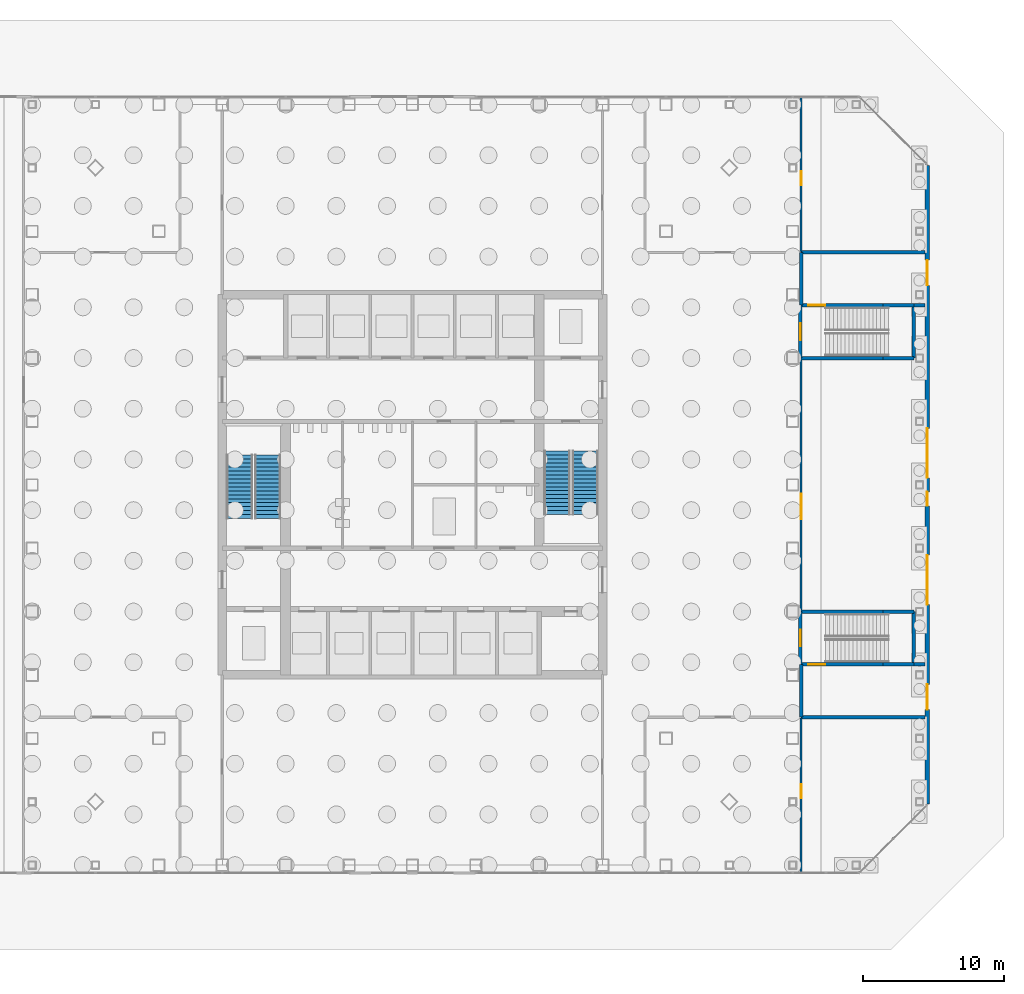
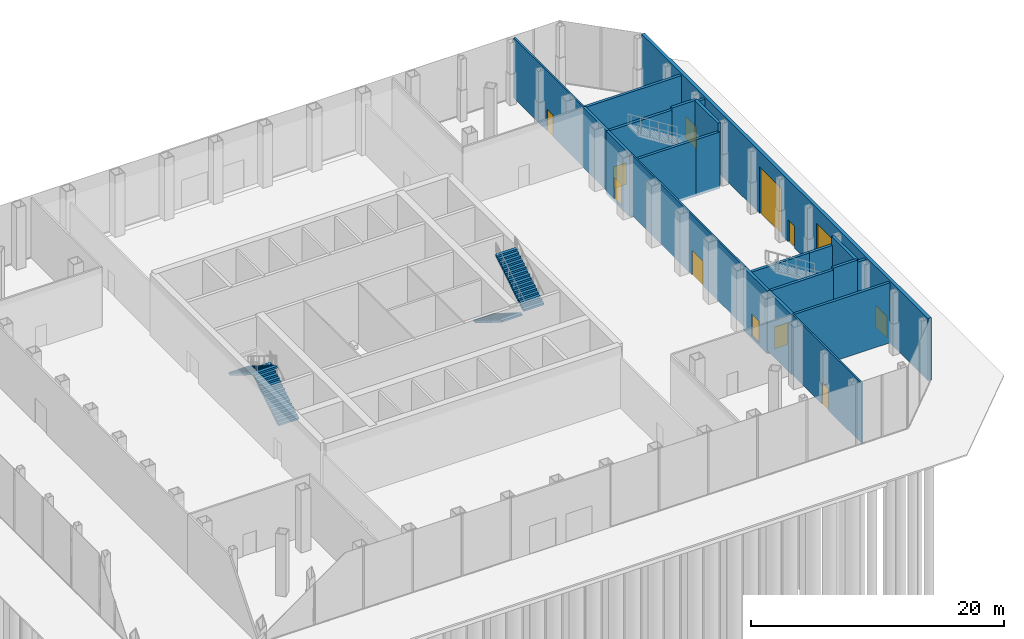
# One storey, part 19 of 24: 22 walls, 12 doors, 4 stair flights, 12 openings, 2 elements without a shape of their own.
"""IFC4 building model written with IfcOpenShell, lengths in metres."""

from ifc_helpers import new_model, si_unit, direction, frame, frame_2d, origin, place, context, subcontext, project, spatial, polyline, rectangle, outline, extrude, material, layer, layer_set, type_object, element, fill, aggregate, save


model = new_model("IFC4")

# Units and contexts
model_context = context("Model", 3, precision=1e-05, world=origin(), true_north=direction((0.0, 1.0)))
body_context = subcontext(model_context, "Body", "Model", "MODEL_VIEW")
ifc_project = project(units=[si_unit("LENGTHUNIT", "METRE"), si_unit("AREAUNIT", "SQUARE_METRE"), si_unit("VOLUMEUNIT", "CUBIC_METRE"), si_unit("PLANEANGLEUNIT", "RADIAN"), si_unit("MASSUNIT", "GRAM", prefix="KILO")], contexts=[model_context])

# Site, building, storey
site_placement = place(None, origin())
site = spatial("IfcSite", under=ifc_project, at=site_placement, CompositionType="ELEMENT")
building_placement = place(site_placement, origin())
building = spatial("IfcBuilding", under=site, at=building_placement, Name="Corais Broadcast Tower", CompositionType="ELEMENT")
storey_placement = place(building_placement, origin())
storey = spatial("IfcBuildingStorey", under=building, at=storey_placement, Name="L00", CompositionType="ELEMENT", Elevation=0.0)

# Wall, opening, door
ifc_material_1 = material(Name="Gypsum board on steel studs", Category="steel")
ifc_layer_1 = layer(ifc_material_1, 0.14990234375)
ifc_layer_set_1 = layer_set([ifc_layer_1], Name="Gypsum board on steel studs")
wall_type_1 = type_object("IfcWallType", Name="Partition 150", PredefinedType="PARTITIONING", material=ifc_layer_set_1)
wall_1_placement = place(storey_placement, frame((54.60009765625, 10.449951171875, 0.0), z_axis=(0.0, 0.0, 1.0), x_axis=(0.0, -1.0, 0.0)))
wall_1 = element("IfcWall", 1, at=wall_1_placement, inside=storey, type_object=wall_type_1, Name="IW3 partition L00", PredefinedType="PARTITIONING", context=body_context, shape_type="SweptSolid", body=[
    extrude(rectangle(XDim=10.969970703125, YDim=0.14990234375, at=frame_2d((5.48486328125, 0.0))), origin(), (0.0, 0.0, 1.0), 5.800048828125),
])
opening_1_placement = place(wall_1_placement, frame((4.719970703125, 0.0, 0.0)))
opening_1 = element("IfcOpeningElement", 2, at=opening_1_placement, cuts=wall_1, Name="Opening D1", PredefinedType="OPENING", context=body_context, shape_type="SweptSolid", body=[
    extrude(rectangle(XDim=1.0, YDim=2.10009765625, at=frame_2d((0.5, 1.050048828125))), frame((0.0, 0.0849609375, 0.0), z_axis=(0.0, -1.0, 0.0), x_axis=(1.0, 0.0, 0.0)), (0.0, 0.0, 1.0), 0.169921875),
])
ifc_material_2 = material(Name="Timber door", Category="wood")
door_type_1 = type_object("IfcDoorType", Name="Single door 1000x2100", OperationType="SINGLE_SWING_LEFT", PredefinedType="DOOR", material=ifc_material_2)
door_1_placement = place(opening_1_placement, origin())
door_1 = element("IfcDoor", 3, at=door_1_placement, inside=storey, type_object=door_type_1, Name="D1 Scenery store door", OperationType="SINGLE_SWING_LEFT", OverallHeight=2.10009765625, OverallWidth=1.0, PredefinedType="DOOR", context=body_context, shape_type="SweptSolid", body=[
    extrude(rectangle(XDim=1.0, YDim=2.10009765625, at=frame_2d((0.5, 1.050048828125))), frame((0.0, 0.02490234375, 0.0), z_axis=(0.0, -1.0, 0.0), x_axis=(1.0, 0.0, 0.0)), (0.0, 0.0, 1.0), 0.050048828125),
])
fill(opening_1, door_1)

wall_2_placement = place(storey_placement, frame((54.60009765625, 35.949951171875, 0.0), z_axis=(0.0, 0.0, 1.0), x_axis=(0.0, -1.0, 0.0)))
wall_2 = element("IfcWall", 4, at=wall_2_placement, inside=storey, type_object=wall_type_1, Name="IW3 partition L00", PredefinedType="PARTITIONING", context=body_context, shape_type="SweptSolid", body=[
    extrude(rectangle(XDim=17.89990234375, YDim=0.14990234375, at=frame_2d((8.949951171875, 0.0))), origin(), (0.0, 0.0, 1.0), 5.800048828125),
])
opening_2_placement = place(wall_2_placement, frame((9.60009765625, 0.0, 0.0)))
opening_2 = element("IfcOpeningElement", 5, at=opening_2_placement, cuts=wall_2, Name="Opening D2", PredefinedType="OPENING", context=body_context, shape_type="SweptSolid", body=[
    extrude(rectangle(XDim=1.800048828125, YDim=2.39990234375, at=frame_2d((0.89990234375, 1.199951171875))), frame((0.0, 0.0849609375, 0.0), z_axis=(0.0, -1.0, 0.0), x_axis=(1.0, 0.0, 0.0)), (0.0, 0.0, 1.0), 0.169921875),
])
ifc_material_3 = material(Name="Timber door", Category="wood")
door_type_2 = type_object("IfcDoorType", Name="Double door 1800x2400", OperationType="DOUBLE_DOOR_SINGLE_SWING", PredefinedType="DOOR", material=ifc_material_3)
door_2_placement = place(opening_2_placement, origin())
door_2 = element("IfcDoor", 6, at=door_2_placement, inside=storey, type_object=door_type_2, Name="D2 Loading dock door", OperationType="SINGLE_SWING_LEFT", OverallHeight=2.39990234375, OverallWidth=1.800048828125, PredefinedType="DOOR", context=body_context, shape_type="SweptSolid", body=[
    extrude(rectangle(XDim=1.800048828125, YDim=2.39990234375, at=frame_2d((0.89990234375, 1.199951171875))), frame((0.0, 0.02490234375, 0.0), z_axis=(0.0, -1.0, 0.0), x_axis=(1.0, 0.0, 0.0)), (0.0, 0.0, 1.0), 0.050048828125),
])
fill(opening_2, door_2)

wall_3_placement = place(storey_placement, frame((54.60009765625, 54.52001953125, 0.0), z_axis=(0.0, 0.0, 1.0), x_axis=(0.0, -1.0, 0.0)))
wall_3 = element("IfcWall", 7, at=wall_3_placement, inside=storey, type_object=wall_type_1, Name="IW3 partition L00", PredefinedType="PARTITIONING", context=body_context, shape_type="SweptSolid", body=[
    extrude(rectangle(XDim=10.969970703125, YDim=0.14990234375, at=frame_2d((5.48486328125, 0.0))), origin(), (0.0, 0.0, 1.0), 5.800048828125),
])
opening_3_placement = place(wall_3_placement, frame((5.25, 0.0, 0.0)))
opening_3 = element("IfcOpeningElement", 8, at=opening_3_placement, cuts=wall_3, Name="Opening D1", PredefinedType="OPENING", context=body_context, shape_type="SweptSolid", body=[
    extrude(rectangle(XDim=1.0, YDim=2.10009765625, at=frame_2d((0.5, 1.050048828125))), frame((0.0, 0.0849609375, 0.0), z_axis=(0.0, -1.0, 0.0), x_axis=(1.0, 0.0, 0.0)), (0.0, 0.0, 1.0), 0.169921875),
])
door_3_placement = place(opening_3_placement, origin())
door_3 = element("IfcDoor", 9, at=door_3_placement, inside=storey, type_object=door_type_1, Name="D1 Waste store door", OperationType="SINGLE_SWING_RIGHT", OverallHeight=2.10009765625, OverallWidth=1.0, PredefinedType="DOOR", context=body_context, shape_type="SweptSolid", body=[
    extrude(rectangle(XDim=1.0, YDim=2.10009765625, at=frame_2d((0.5, 1.050048828125))), frame((0.0, 0.02490234375, 0.0), z_axis=(0.0, -1.0, 0.0), x_axis=(1.0, 0.0, 0.0)), (0.0, 0.0, 1.0), 0.050048828125),
])
fill(opening_3, door_3)

ifc_material_4 = material(Name="Concrete blockwork class A", Category="masonry")
ifc_layer_2 = layer(ifc_material_4, 0.25)
ifc_layer_set_2 = layer_set([ifc_layer_2], Name="Concrete blockwork class A")
wall_type_2 = type_object("IfcWallType", Name="Stair enclosure blockwork 250", PredefinedType="PARTITIONING", material=ifc_layer_set_2)
wall_4_placement = place(storey_placement, frame((54.550048828125, 14.25, -0.25), z_axis=(0.0, 0.0, 1.0), x_axis=(1.0, 0.0, 0.0)))
wall_4 = element("IfcWall", 10, at=wall_4_placement, inside=storey, type_object=wall_type_2, Name="IW6 stair D enclosure L00", PredefinedType="PARTITIONING", context=body_context, shape_type="SweptSolid", body=[
    extrude(rectangle(XDim=5.849853515625, YDim=0.25, at=frame_2d((2.9248046875, 0.0))), origin(), (0.0, 0.0, 1.0), 6.050048828125),
])
opening_4_placement = place(wall_4_placement, frame((0.550048828125, 0.0, 0.25)))
opening_4 = element("IfcOpeningElement", 11, at=opening_4_placement, cuts=wall_4, Name="Opening FD1", PredefinedType="OPENING", context=body_context, shape_type="SweptSolid", body=[
    extrude(rectangle(XDim=1.199951171875, YDim=2.10009765625, at=frame_2d((0.60009765625, 1.050048828125))), frame((0.0, 0.135009765625, 0.0), z_axis=(0.0, -1.0, 0.0), x_axis=(1.0, 0.0, 0.0)), (0.0, 0.0, 1.0), 0.27001953125),
])
ifc_material_5 = material(Name="Steel fire door", Category="steel")
door_type_3 = type_object("IfcDoorType", Name="Fire door 1200x2100", OperationType="SINGLE_SWING_LEFT", PredefinedType="DOOR", material=ifc_material_5)
door_4_placement = place(opening_4_placement, origin())
door_4 = element("IfcDoor", 12, at=door_4_placement, inside=storey, type_object=door_type_3, Name="FD1 stair D exit passage door L00", OperationType="SINGLE_SWING_LEFT", OverallHeight=2.10009765625, OverallWidth=1.199951171875, PredefinedType="DOOR", context=body_context, shape_type="SweptSolid", body=[
    extrude(rectangle(XDim=1.199951171875, YDim=2.10009765625, at=frame_2d((0.60009765625, 1.050048828125))), frame((0.0, 0.02490234375, 0.0), z_axis=(0.0, -1.0, 0.0), x_axis=(1.0, 0.0, 0.0)), (0.0, 0.0, 1.0), 0.050048828125),
])
fill(opening_4, door_4)

# Wall
wall_5_placement = place(storey_placement, frame((60.39990234375, 18.0, -0.25), z_axis=(0.0, 0.0, 1.0), x_axis=(-1.0, 0.0, 0.0)))
element("IfcWall", 13, at=wall_5_placement, inside=storey, type_object=wall_type_2, Name="IW6 stair D enclosure L00", PredefinedType="PARTITIONING", context=body_context, shape_type="SweptSolid", body=[
    extrude(rectangle(XDim=5.849853515625, YDim=0.25, at=frame_2d((2.9248046875, 0.0))), origin(), (0.0, 0.0, 1.0), 5.43896484375),
])

# Wall, opening, door
wall_6_placement = place(storey_placement, frame((54.550048828125, 18.0, -0.25), z_axis=(0.0, 0.0, 1.0), x_axis=(0.0, -1.0, 0.0)))
wall_6 = element("IfcWall", 14, at=wall_6_placement, inside=storey, type_object=wall_type_2, Name="IW6 stair D enclosure L00", PredefinedType="PARTITIONING", context=body_context, shape_type="SweptSolid", body=[
    extrude(rectangle(XDim=3.75, YDim=0.25, at=frame_2d((1.875, 0.0))), origin(), (0.0, 0.0, 1.0), 6.050048828125),
])
opening_5_placement = place(wall_6_placement, frame((1.27490234375, 0.0, 0.25)))
opening_5 = element("IfcOpeningElement", 15, at=opening_5_placement, cuts=wall_6, Name="Opening FD1", PredefinedType="OPENING", context=body_context, shape_type="SweptSolid", body=[
    extrude(rectangle(XDim=1.199951171875, YDim=2.10009765625, at=frame_2d((0.60009765625, 1.050048828125))), frame((0.0, 0.135009765625, 0.0), z_axis=(0.0, -1.0, 0.0), x_axis=(1.0, 0.0, 0.0)), (0.0, 0.0, 1.0), 0.27001953125),
])
door_5_placement = place(opening_5_placement, origin())
door_5 = element("IfcDoor", 16, at=door_5_placement, inside=storey, type_object=door_type_3, Name="FD1 stair D door L00", OperationType="SINGLE_SWING_LEFT", OverallHeight=2.10009765625, OverallWidth=1.199951171875, PredefinedType="DOOR", context=body_context, shape_type="SweptSolid", body=[
    extrude(rectangle(XDim=1.199951171875, YDim=2.10009765625, at=frame_2d((0.60009765625, 1.050048828125))), frame((0.0, 0.02490234375, 0.0), z_axis=(0.0, -1.0, 0.0), x_axis=(1.0, 0.0, 0.0)), (0.0, 0.0, 1.0), 0.050048828125),
])
fill(opening_5, door_5)

# Walls
wall_7_placement = place(storey_placement, frame((54.60009765625, 10.5, 0.0), z_axis=(0.0, 0.0, 1.0), x_axis=(1.0, 0.0, 0.0)))
element("IfcWall", 17, at=wall_7_placement, inside=storey, type_object=wall_type_2, Name="IW6 exit passage D wall L00", PredefinedType="PARTITIONING", context=body_context, shape_type="SweptSolid", body=[
    extrude(rectangle(XDim=8.7998046875, YDim=0.25, at=frame_2d((4.39990234375, 0.0))), origin(), (0.0, 0.0, 1.0), 5.800048828125),
])
wall_8_placement = place(storey_placement, frame((54.60009765625, 10.5, 0.0), z_axis=(0.0, 0.0, 1.0), x_axis=(0.0, 1.0, 0.0)))
element("IfcWall", 18, at=wall_8_placement, inside=storey, type_object=wall_type_2, Name="IW6 exit passage D wall L00", PredefinedType="PARTITIONING", context=body_context, shape_type="SweptSolid", body=[
    extrude(rectangle(XDim=3.75, YDim=0.25, at=frame_2d((1.875, 0.0))), origin(), (0.0, 0.0, 1.0), 5.800048828125),
])
wall_9_placement = place(storey_placement, frame((62.60009765625, 14.25, 0.0), z_axis=(0.0, 0.0, 1.0), x_axis=(1.0, 0.0, 0.0)))
element("IfcWall", 19, at=wall_9_placement, inside=storey, type_object=wall_type_2, Name="IW6 exit passage D wall L00", PredefinedType="PARTITIONING", context=body_context, shape_type="SweptSolid", body=[
    extrude(rectangle(XDim=0.7998046875, YDim=0.25, at=frame_2d((0.39990234375, 0.0))), origin(), (0.0, 0.0, 1.0), 5.800048828125),
])
wall_10_placement = place(storey_placement, frame((54.550048828125, 36.0, -0.25), z_axis=(0.0, 0.0, 1.0), x_axis=(1.0, 0.0, 0.0)))
element("IfcWall", 20, at=wall_10_placement, inside=storey, type_object=wall_type_2, Name="IW6 stair E enclosure L00", PredefinedType="PARTITIONING", context=body_context, shape_type="SweptSolid", body=[
    extrude(rectangle(XDim=5.849853515625, YDim=0.25, at=frame_2d((2.9248046875, 0.0))), origin(), (0.0, 0.0, 1.0), 5.43896484375),
])

# Wall, opening, door
wall_11_placement = place(storey_placement, frame((60.39990234375, 39.75, -0.25), z_axis=(0.0, 0.0, 1.0), x_axis=(-1.0, 0.0, 0.0)))
wall_11 = element("IfcWall", 21, at=wall_11_placement, inside=storey, type_object=wall_type_2, Name="IW6 stair E enclosure L00", PredefinedType="PARTITIONING", context=body_context, shape_type="SweptSolid", body=[
    extrude(rectangle(XDim=5.849853515625, YDim=0.25, at=frame_2d((2.9248046875, 0.0))), origin(), (0.0, 0.0, 1.0), 6.050048828125),
])
opening_6_placement = place(wall_11_placement, frame((4.10009765625, 0.0, 0.25)))
opening_6 = element("IfcOpeningElement", 22, at=opening_6_placement, cuts=wall_11, Name="Opening FD1", PredefinedType="OPENING", context=body_context, shape_type="SweptSolid", body=[
    extrude(rectangle(XDim=1.199951171875, YDim=2.10009765625, at=frame_2d((0.60009765625, 1.050048828125))), frame((0.0, 0.135009765625, 0.0), z_axis=(0.0, -1.0, 0.0), x_axis=(1.0, 0.0, 0.0)), (0.0, 0.0, 1.0), 0.27001953125),
])
door_6_placement = place(opening_6_placement, origin())
door_6 = element("IfcDoor", 23, at=door_6_placement, inside=storey, type_object=door_type_3, Name="FD1 stair E exit passage door L00", OperationType="SINGLE_SWING_RIGHT", OverallHeight=2.10009765625, OverallWidth=1.199951171875, PredefinedType="DOOR", context=body_context, shape_type="SweptSolid", body=[
    extrude(rectangle(XDim=1.199951171875, YDim=2.10009765625, at=frame_2d((0.60009765625, 1.050048828125))), frame((0.0, 0.02490234375, 0.0), z_axis=(0.0, -1.0, 0.0), x_axis=(1.0, 0.0, 0.0)), (0.0, 0.0, 1.0), 0.050048828125),
])
fill(opening_6, door_6)

wall_12_placement = place(storey_placement, frame((54.550048828125, 39.75, -0.25), z_axis=(0.0, 0.0, 1.0), x_axis=(0.0, -1.0, 0.0)))
wall_12 = element("IfcWall", 24, at=wall_12_placement, inside=storey, type_object=wall_type_2, Name="IW6 stair E enclosure L00", PredefinedType="PARTITIONING", context=body_context, shape_type="SweptSolid", body=[
    extrude(rectangle(XDim=3.75, YDim=0.25, at=frame_2d((1.875, 0.0))), origin(), (0.0, 0.0, 1.0), 6.050048828125),
])
opening_7_placement = place(wall_12_placement, frame((1.27490234375, 0.0, 0.25)))
opening_7 = element("IfcOpeningElement", 25, at=opening_7_placement, cuts=wall_12, Name="Opening FD1", PredefinedType="OPENING", context=body_context, shape_type="SweptSolid", body=[
    extrude(rectangle(XDim=1.199951171875, YDim=2.10009765625, at=frame_2d((0.60009765625, 1.050048828125))), frame((0.0, 0.135009765625, 0.0), z_axis=(0.0, -1.0, 0.0), x_axis=(1.0, 0.0, 0.0)), (0.0, 0.0, 1.0), 0.27001953125),
])
door_7_placement = place(opening_7_placement, origin())
door_7 = element("IfcDoor", 26, at=door_7_placement, inside=storey, type_object=door_type_3, Name="FD1 stair E door L00", OperationType="SINGLE_SWING_LEFT", OverallHeight=2.10009765625, OverallWidth=1.199951171875, PredefinedType="DOOR", context=body_context, shape_type="SweptSolid", body=[
    extrude(rectangle(XDim=1.199951171875, YDim=2.10009765625, at=frame_2d((0.60009765625, 1.050048828125))), frame((0.0, 0.02490234375, 0.0), z_axis=(0.0, -1.0, 0.0), x_axis=(1.0, 0.0, 0.0)), (0.0, 0.0, 1.0), 0.050048828125),
])
fill(opening_7, door_7)

# Walls
wall_13_placement = place(storey_placement, frame((54.60009765625, 43.5, 0.0), z_axis=(0.0, 0.0, 1.0), x_axis=(1.0, 0.0, 0.0)))
element("IfcWall", 27, at=wall_13_placement, inside=storey, type_object=wall_type_2, Name="IW6 exit passage E wall L00", PredefinedType="PARTITIONING", context=body_context, shape_type="SweptSolid", body=[
    extrude(rectangle(XDim=8.7998046875, YDim=0.25, at=frame_2d((4.39990234375, 0.0))), origin(), (0.0, 0.0, 1.0), 5.800048828125),
])
wall_14_placement = place(storey_placement, frame((54.60009765625, 43.5, 0.0), z_axis=(0.0, 0.0, 1.0), x_axis=(0.0, -1.0, 0.0)))
element("IfcWall", 28, at=wall_14_placement, inside=storey, type_object=wall_type_2, Name="IW6 exit passage E wall L00", PredefinedType="PARTITIONING", context=body_context, shape_type="SweptSolid", body=[
    extrude(rectangle(XDim=3.75, YDim=0.25, at=frame_2d((1.875, 0.0))), origin(), (0.0, 0.0, 1.0), 5.800048828125),
])
wall_15_placement = place(storey_placement, frame((62.60009765625, 39.75, 0.0), z_axis=(0.0, 0.0, 1.0), x_axis=(1.0, 0.0, 0.0)))
element("IfcWall", 29, at=wall_15_placement, inside=storey, type_object=wall_type_2, Name="IW6 exit passage E wall L00", PredefinedType="PARTITIONING", context=body_context, shape_type="SweptSolid", body=[
    extrude(rectangle(XDim=0.7998046875, YDim=0.25, at=frame_2d((0.39990234375, 0.0))), origin(), (0.0, 0.0, 1.0), 5.800048828125),
])
ifc_material_6 = material(Name="Concrete C40/50", Category="concrete")
ifc_layer_3 = layer(ifc_material_6, 0.25)
ifc_layer_set_3 = layer_set([ifc_layer_3], Name="Concrete C40/50")
wall_type_3 = type_object("IfcWallType", Name="Stair enclosure wall 250", PredefinedType="SOLIDWALL", material=ifc_layer_set_3)
wall_16_placement = place(storey_placement, frame((60.39990234375, 14.25, -0.25), z_axis=(0.0, 0.0, 1.0), x_axis=(1.0, 0.0, 0.0)))
element("IfcWall", 30, at=wall_16_placement, inside=storey, type_object=wall_type_3, Name="IW5 stair D enclosure L00", PredefinedType="SOLIDWALL", context=body_context, shape_type="SweptSolid", body=[
    extrude(rectangle(XDim=2.2001953125, YDim=0.25, at=frame_2d((1.10009765625, 0.0))), origin(), (0.0, 0.0, 1.0), 6.25),
])
wall_17_placement = place(storey_placement, frame((62.60009765625, 14.25, -0.25), z_axis=(0.0, 0.0, 1.0), x_axis=(0.0, 1.0, 0.0)))
element("IfcWall", 31, at=wall_17_placement, inside=storey, type_object=wall_type_3, Name="IW5 stair D enclosure L00", PredefinedType="SOLIDWALL", context=body_context, shape_type="SweptSolid", body=[
    extrude(rectangle(XDim=3.75, YDim=0.25, at=frame_2d((1.875, 0.0))), origin(), (0.0, 0.0, 1.0), 6.25),
])
for number, where, z_axis, x_axis, name in (
    (32, (62.60009765625, 18.0, -0.25), (0.0, 0.0, 1.0), (-1.0, 0.0, 0.0), "IW5 stair D enclosure L00"),
    (33, (60.39990234375, 36.0, -0.25), (0.0, 0.0, 1.0), (1.0, 0.0, 0.0), "IW5 stair E enclosure L00"),
):
    element("IfcWall", number, at=place(storey_placement, frame(where, z_axis=z_axis, x_axis=x_axis)), inside=storey, type_object=wall_type_3, Name=name, PredefinedType="SOLIDWALL", context=body_context, shape_type="SweptSolid", body=[
        extrude(rectangle(XDim=2.2001953125, YDim=0.25, at=frame_2d((1.10009765625, 0.0))), origin(), (0.0, 0.0, 1.0), 5.43896484375),
    ])
wall_18_placement = place(storey_placement, frame((62.60009765625, 36.0, -0.25), z_axis=(0.0, 0.0, 1.0), x_axis=(0.0, 1.0, 0.0)))
element("IfcWall", 34, at=wall_18_placement, inside=storey, type_object=wall_type_3, Name="IW5 stair E enclosure L00", PredefinedType="SOLIDWALL", context=body_context, shape_type="SweptSolid", body=[
    extrude(rectangle(XDim=3.75, YDim=0.25, at=frame_2d((1.875, 0.0))), origin(), (0.0, 0.0, 1.0), 6.25),
])
wall_19_placement = place(storey_placement, frame((62.60009765625, 39.75, -0.25), z_axis=(0.0, 0.0, 1.0), x_axis=(-1.0, 0.0, 0.0)))
element("IfcWall", 35, at=wall_19_placement, inside=storey, type_object=wall_type_3, Name="IW5 stair E enclosure L00", PredefinedType="SOLIDWALL", context=body_context, shape_type="SweptSolid", body=[
    extrude(rectangle(XDim=2.2001953125, YDim=0.25, at=frame_2d((1.10009765625, 0.0))), origin(), (0.0, 0.0, 1.0), 6.25),
])

# Wall, openings, doors
ifc_material_7 = material(Name="Precast concrete C40/50", Category="concrete")
ifc_layer_4 = layer(ifc_material_7, 0.300048828125)
ifc_layer_set_4 = layer_set([ifc_layer_4], Name="Precast concrete C40/50")
wall_type_4 = type_object("IfcWallType", Name="Stone-faced precast wall 300", PredefinedType="SOLIDWALL", material=ifc_layer_set_4)
wall_20_placement = place(storey_placement, frame((63.550048828125, 49.669921875, 0.0), z_axis=(0.0, 0.0, 1.0), x_axis=(0.0, -1.0, 0.0)))
wall_20 = element("IfcWall", 36, at=wall_20_placement, inside=storey, type_object=wall_type_4, Name="EW1 loading wall L00", PredefinedType="SOLIDWALL", context=body_context, shape_type="SweptSolid", body=[
    extrude(rectangle(XDim=45.33984375, YDim=0.300048828125, at=frame_2d((22.669921875, 0.0))), origin(), (0.0, 0.0, 1.0), 6.0),
])
opening_8_placement = place(wall_20_placement, frame((27.669921875, 0.0, 0.0)))
opening_8 = element("IfcOpeningElement", 37, at=opening_8_placement, cuts=wall_20, Name="Opening RU1", PredefinedType="OPENING", context=body_context, shape_type="SweptSolid", body=[
    extrude(rectangle(XDim=3.5, YDim=4.5, at=frame_2d((1.75, 2.25))), frame((0.0, 0.159912109375, 0.0), z_axis=(0.0, -1.0, 0.0), x_axis=(1.0, 0.0, 0.0)), (0.0, 0.0, 1.0), 0.320068359375),
])
opening_9_placement = place(wall_20_placement, frame((18.669921875, 0.0, 0.0)))
opening_9 = element("IfcOpeningElement", 38, at=opening_9_placement, cuts=wall_20, Name="Opening RU1", PredefinedType="OPENING", context=body_context, shape_type="SweptSolid", body=[
    extrude(rectangle(XDim=3.5, YDim=4.5, at=frame_2d((1.75, 2.25))), frame((0.0, 0.159912109375, 0.0), z_axis=(0.0, -1.0, 0.0), x_axis=(1.0, 0.0, 0.0)), (0.0, 0.0, 1.0), 0.320068359375),
])
opening_10_placement = place(wall_20_placement, frame((23.169921875, 0.0, 0.0)))
opening_10 = element("IfcOpeningElement", 39, at=opening_10_placement, cuts=wall_20, Name="Opening XD1", PredefinedType="OPENING", context=body_context, shape_type="SweptSolid", body=[
    extrude(rectangle(XDim=1.0, YDim=2.10009765625, at=frame_2d((0.5, 1.050048828125))), frame((0.0, 0.159912109375, 0.0), z_axis=(0.0, -1.0, 0.0), x_axis=(1.0, 0.0, 0.0)), (0.0, 0.0, 1.0), 0.320068359375),
])
opening_11_placement = place(wall_20_placement, frame((36.829833984375, 0.0, 0.0)))
opening_11 = element("IfcOpeningElement", 40, at=opening_11_placement, cuts=wall_20, Name="Opening XD2", PredefinedType="OPENING", context=body_context, shape_type="SweptSolid", body=[
    extrude(rectangle(XDim=1.800048828125, YDim=2.10009765625, at=frame_2d((0.89990234375, 1.050048828125))), frame((0.0, 0.159912109375, 0.0), z_axis=(0.0, -1.0, 0.0), x_axis=(1.0, 0.0, 0.0)), (0.0, 0.0, 1.0), 0.320068359375),
])
opening_12_placement = place(wall_20_placement, frame((6.709716796875, 0.0, 0.0)))
opening_12 = element("IfcOpeningElement", 41, at=opening_12_placement, cuts=wall_20, Name="Opening XD2", PredefinedType="OPENING", context=body_context, shape_type="SweptSolid", body=[
    extrude(rectangle(XDim=1.800048828125, YDim=2.10009765625, at=frame_2d((0.89990234375, 1.050048828125))), frame((0.0, 0.159912109375, 0.0), z_axis=(0.0, -1.0, 0.0), x_axis=(1.0, 0.0, 0.0)), (0.0, 0.0, 1.0), 0.320068359375),
])
ifc_material_8 = material(Name="Steel door", Category="steel")
door_type_4 = type_object("IfcDoorType", Name="External double door 1800x2100", OperationType="DOUBLE_DOOR_SINGLE_SWING", PredefinedType="DOOR", material=ifc_material_8)
door_8_placement = place(opening_11_placement, origin())
door_8 = element("IfcDoor", 42, at=door_8_placement, inside=storey, type_object=door_type_4, Name="XD2 XD-L00-1", OperationType="SINGLE_SWING_LEFT", OverallHeight=2.10009765625, OverallWidth=1.800048828125, PredefinedType="DOOR", context=body_context, shape_type="SweptSolid", body=[
    extrude(rectangle(XDim=1.800048828125, YDim=2.10009765625, at=frame_2d((0.89990234375, 1.050048828125))), frame((0.0, 0.02490234375, 0.0), z_axis=(0.0, -1.0, 0.0), x_axis=(1.0, 0.0, 0.0)), (0.0, 0.0, 1.0), 0.050048828125),
])
fill(opening_11, door_8)
door_9_placement = place(opening_12_placement, origin())
door_9 = element("IfcDoor", 43, at=door_9_placement, inside=storey, type_object=door_type_4, Name="XD2 XD-L00-2", OperationType="SINGLE_SWING_LEFT", OverallHeight=2.10009765625, OverallWidth=1.800048828125, PredefinedType="DOOR", context=body_context, shape_type="SweptSolid", body=[
    extrude(rectangle(XDim=1.800048828125, YDim=2.10009765625, at=frame_2d((0.89990234375, 1.050048828125))), frame((0.0, 0.02490234375, 0.0), z_axis=(0.0, -1.0, 0.0), x_axis=(1.0, 0.0, 0.0)), (0.0, 0.0, 1.0), 0.050048828125),
])
fill(opening_12, door_9)
ifc_material_9 = material(Name="Steel door", Category="steel")
door_type_5 = type_object("IfcDoorType", Name="External single door 1000x2100", OperationType="SINGLE_SWING_LEFT", PredefinedType="DOOR", material=ifc_material_9)
door_10_placement = place(opening_10_placement, origin())
door_10 = element("IfcDoor", 44, at=door_10_placement, inside=storey, type_object=door_type_5, Name="XD1 XD-L00-0", OperationType="SINGLE_SWING_RIGHT", OverallHeight=2.10009765625, OverallWidth=1.0, PredefinedType="DOOR", context=body_context, shape_type="SweptSolid", body=[
    extrude(rectangle(XDim=1.0, YDim=2.10009765625, at=frame_2d((0.5, 1.050048828125))), frame((0.0, 0.02490234375, 0.0), z_axis=(0.0, -1.0, 0.0), x_axis=(1.0, 0.0, 0.0)), (0.0, 0.0, 1.0), 0.050048828125),
])
fill(opening_10, door_10)
ifc_material_10 = material(Name="Steel roller shutter", Category="steel")
door_type_6 = type_object("IfcDoorType", Name="Roller shutter 3500x4500", OperationType="ROLLINGUP", PredefinedType="DOOR", material=ifc_material_10)
door_11_placement = place(opening_8_placement, origin())
door_11 = element("IfcDoor", 45, at=door_11_placement, inside=storey, type_object=door_type_6, Name="RU1 RS-L00-0", OperationType="SINGLE_SWING_LEFT", OverallHeight=4.5, OverallWidth=3.5, PredefinedType="DOOR", context=body_context, shape_type="SweptSolid", body=[
    extrude(rectangle(XDim=3.5, YDim=4.5, at=frame_2d((1.75, 2.25))), frame((0.0, 0.02490234375, 0.0), z_axis=(0.0, -1.0, 0.0), x_axis=(1.0, 0.0, 0.0)), (0.0, 0.0, 1.0), 0.050048828125),
])
fill(opening_8, door_11)
door_12_placement = place(opening_9_placement, origin())
door_12 = element("IfcDoor", 46, at=door_12_placement, inside=storey, type_object=door_type_6, Name="RU1 RS-L00-1", OperationType="SINGLE_SWING_LEFT", OverallHeight=4.5, OverallWidth=3.5, PredefinedType="DOOR", context=body_context, shape_type="SweptSolid", body=[
    extrude(rectangle(XDim=3.5, YDim=4.5, at=frame_2d((1.75, 2.25))), frame((0.0, 0.02490234375, 0.0), z_axis=(0.0, -1.0, 0.0), x_axis=(1.0, 0.0, 0.0)), (0.0, 0.0, 1.0), 0.050048828125),
])
fill(opening_9, door_12)

# Stair, stair flights
ifc_material_11 = material(Name="Concrete C30/37", Category="concrete")
stair_type = type_object("IfcStairType", Name="Half-turn stair 6000", PredefinedType="HALF_TURN_STAIR", material=ifc_material_11)
stair_1_placement = place(storey_placement, origin())
stair_1 = element("IfcStair", 47, at=stair_1_placement, inside=storey, type_object=stair_type, Name="Stair A L00", PredefinedType="HALF_TURN_STAIR")
ifc_material_12 = material(Name="Concrete C30/37", Category="concrete")
stair_flight_type = type_object("IfcStairFlightType", Name="Stair flight 6000", PredefinedType="STRAIGHT", material=ifc_material_12)
stair_flight_1_placement = place(storey_placement, frame((16.72509765625, 24.60009765625, 0.0), z_axis=(0.0, 0.0, 1.0), x_axis=(0.0, 1.0, 0.0)))
stair_flight_1 = element("IfcStairFlight", 48, at=stair_flight_1_placement, type_object=stair_flight_type, Name="STA flight 1", NumberOfRisers=17, NumberOfTreads=16, PredefinedType="STRAIGHT", RiserHeight=0.176470588, TreadLength=0.282, context=body_context, shape_type="SweptSolid", body=[
    extrude(outline(polyline([(0.0, 0.0), (0.0, 0.176513671875), (0.281982421875, 0.176513671875), (0.281982421875, 0.35302734375), (0.56396484375, 0.35302734375), (0.56396484375, 0.529296875), (0.845947265625, 0.529296875), (0.845947265625, 0.705810546875), (1.1279296875, 0.705810546875), (1.1279296875, 0.88232421875), (1.409912109375, 0.88232421875), (1.409912109375, 1.058837890625), (1.69189453125, 1.058837890625), (1.69189453125, 1.2353515625), (1.97412109375, 1.2353515625), (1.97412109375, 1.411865234375), (2.256103515625, 1.411865234375), (2.256103515625, 1.588134765625), (2.5380859375, 1.588134765625), (2.5380859375, 1.7646484375), (2.820068359375, 1.7646484375), (2.820068359375, 1.941162109375), (3.10205078125, 1.941162109375), (3.10205078125, 2.11767578125), (3.384033203125, 2.11767578125), (3.384033203125, 2.294189453125), (3.666015625, 2.294189453125), (3.666015625, 2.470703125), (3.947998046875, 2.470703125), (3.947998046875, 2.64697265625), (4.22998046875, 2.64697265625), (4.22998046875, 2.823486328125), (4.511962890625, 2.823486328125), (4.511962890625, 3.0), (4.511962890625, 2.646728515625), (0.282470703125, 0.0), (0.0, 0.0)])), frame((0.0, 0.925048828125, 0.0), z_axis=(0.0, -1.0, 0.0), x_axis=(1.0, 0.0, 0.0)), (0.0, 0.0, 1.0), 1.85009765625),
])
stair_flight_2_placement = place(storey_placement, frame((14.72509765625, 29.112060546875, 3.0), z_axis=(0.0, 0.0, 1.0), x_axis=(0.0, -1.0, 0.0)))
stair_flight_2 = element("IfcStairFlight", 49, at=stair_flight_2_placement, type_object=stair_flight_type, Name="STA flight 2", NumberOfRisers=17, NumberOfTreads=16, PredefinedType="STRAIGHT", RiserHeight=0.176470588, TreadLength=0.282, context=body_context, shape_type="SweptSolid", body=[
    extrude(outline(polyline([(0.0, 0.0), (0.0, 0.176513671875), (0.281982421875, 0.176513671875), (0.281982421875, 0.35302734375), (0.56396484375, 0.35302734375), (0.56396484375, 0.529296875), (0.845947265625, 0.529296875), (0.845947265625, 0.705810546875), (1.1279296875, 0.705810546875), (1.1279296875, 0.88232421875), (1.409912109375, 0.88232421875), (1.409912109375, 1.058837890625), (1.69189453125, 1.058837890625), (1.69189453125, 1.2353515625), (1.97412109375, 1.2353515625), (1.97412109375, 1.411865234375), (2.256103515625, 1.411865234375), (2.256103515625, 1.588134765625), (2.5380859375, 1.588134765625), (2.5380859375, 1.7646484375), (2.820068359375, 1.7646484375), (2.820068359375, 1.941162109375), (3.10205078125, 1.941162109375), (3.10205078125, 2.11767578125), (3.384033203125, 2.11767578125), (3.384033203125, 2.294189453125), (3.666015625, 2.294189453125), (3.666015625, 2.470703125), (3.947998046875, 2.470703125), (3.947998046875, 2.64697265625), (4.22998046875, 2.64697265625), (4.22998046875, 2.823486328125), (4.511962890625, 2.823486328125), (4.511962890625, 3.0), (4.511962890625, 2.646728515625), (0.282470703125, 0.0), (0.0, 0.0)])), frame((0.0, 0.925048828125, 0.0), z_axis=(0.0, -1.0, 0.0), x_axis=(1.0, 0.0, 0.0)), (0.0, 0.0, 1.0), 1.85009765625),
])
aggregate(stair_1, [stair_flight_1, stair_flight_2])

stair_2_placement = place(storey_placement, origin())
stair_2 = element("IfcStair", 50, at=stair_2_placement, inside=storey, type_object=stair_type, Name="Stair B L00", PredefinedType="HALF_TURN_STAIR")
stair_flight_3_placement = place(storey_placement, frame((37.27490234375, 29.39990234375, 0.0), z_axis=(0.0, 0.0, 1.0), x_axis=(0.0, -1.0, 0.0)))
stair_flight_3 = element("IfcStairFlight", 51, at=stair_flight_3_placement, type_object=stair_flight_type, Name="STB flight 1", NumberOfRisers=17, NumberOfTreads=16, PredefinedType="STRAIGHT", RiserHeight=0.176470588, TreadLength=0.282, context=body_context, shape_type="SweptSolid", body=[
    extrude(outline(polyline([(0.0, 0.0), (0.0, 0.176513671875), (0.281982421875, 0.176513671875), (0.281982421875, 0.35302734375), (0.56396484375, 0.35302734375), (0.56396484375, 0.529296875), (0.845947265625, 0.529296875), (0.845947265625, 0.705810546875), (1.1279296875, 0.705810546875), (1.1279296875, 0.88232421875), (1.409912109375, 0.88232421875), (1.409912109375, 1.058837890625), (1.69189453125, 1.058837890625), (1.69189453125, 1.2353515625), (1.97412109375, 1.2353515625), (1.97412109375, 1.411865234375), (2.256103515625, 1.411865234375), (2.256103515625, 1.588134765625), (2.5380859375, 1.588134765625), (2.5380859375, 1.7646484375), (2.820068359375, 1.7646484375), (2.820068359375, 1.941162109375), (3.10205078125, 1.941162109375), (3.10205078125, 2.11767578125), (3.384033203125, 2.11767578125), (3.384033203125, 2.294189453125), (3.666015625, 2.294189453125), (3.666015625, 2.470703125), (3.947998046875, 2.470703125), (3.947998046875, 2.64697265625), (4.22998046875, 2.64697265625), (4.22998046875, 2.823486328125), (4.511962890625, 2.823486328125), (4.511962890625, 3.0), (4.511962890625, 2.646728515625), (0.282470703125, 0.0), (0.0, 0.0)])), frame((0.0, 0.925048828125, 0.0), z_axis=(0.0, -1.0, 0.0), x_axis=(1.0, 0.0, 0.0)), (0.0, 0.0, 1.0), 1.85009765625),
])
stair_flight_4_placement = place(storey_placement, frame((39.27490234375, 24.887939453125, 3.0), z_axis=(0.0, 0.0, 1.0), x_axis=(0.0, 1.0, 0.0)))
stair_flight_4 = element("IfcStairFlight", 52, at=stair_flight_4_placement, type_object=stair_flight_type, Name="STB flight 2", NumberOfRisers=17, NumberOfTreads=16, PredefinedType="STRAIGHT", RiserHeight=0.176470588, TreadLength=0.282, context=body_context, shape_type="SweptSolid", body=[
    extrude(outline(polyline([(0.0, 0.0), (0.0, 0.176513671875), (0.281982421875, 0.176513671875), (0.281982421875, 0.35302734375), (0.56396484375, 0.35302734375), (0.56396484375, 0.529296875), (0.845947265625, 0.529296875), (0.845947265625, 0.705810546875), (1.1279296875, 0.705810546875), (1.1279296875, 0.88232421875), (1.409912109375, 0.88232421875), (1.409912109375, 1.058837890625), (1.69189453125, 1.058837890625), (1.69189453125, 1.2353515625), (1.97412109375, 1.2353515625), (1.97412109375, 1.411865234375), (2.256103515625, 1.411865234375), (2.256103515625, 1.588134765625), (2.5380859375, 1.588134765625), (2.5380859375, 1.7646484375), (2.820068359375, 1.7646484375), (2.820068359375, 1.941162109375), (3.10205078125, 1.941162109375), (3.10205078125, 2.11767578125), (3.384033203125, 2.11767578125), (3.384033203125, 2.294189453125), (3.666015625, 2.294189453125), (3.666015625, 2.470703125), (3.947998046875, 2.470703125), (3.947998046875, 2.64697265625), (4.22998046875, 2.64697265625), (4.22998046875, 2.823486328125), (4.511962890625, 2.823486328125), (4.511962890625, 3.0), (4.511962890625, 2.646728515625), (0.282470703125, 0.0), (0.0, 0.0)])), frame((0.0, 0.925048828125, 0.0), z_axis=(0.0, -1.0, 0.0), x_axis=(1.0, 0.0, 0.0)), (0.0, 0.0, 1.0), 1.85009765625),
])
aggregate(stair_2, [stair_flight_3, stair_flight_4])

save(model, "model.ifc")
